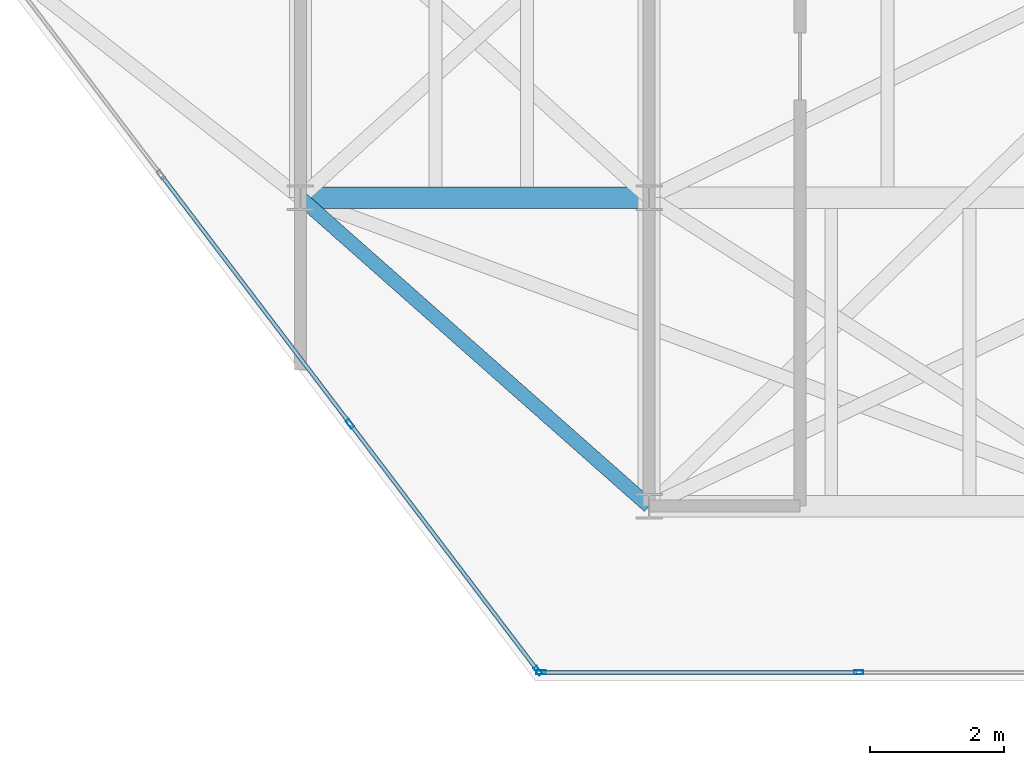
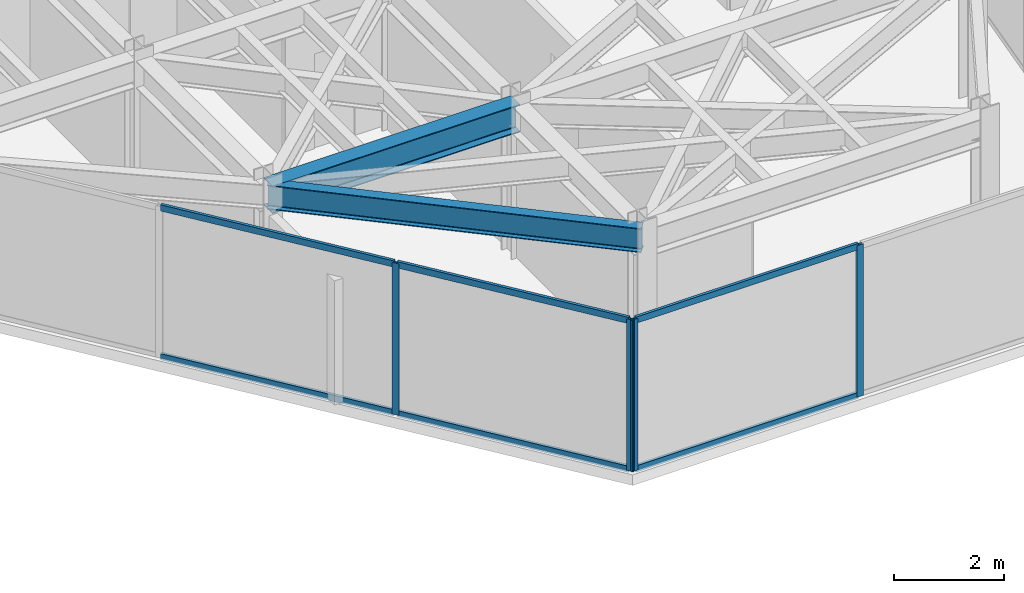
# One storey, part 6 of 16: 10 members, 2 beams, 2 elements without a shape of their own.
"""IFC4 building model written with IfcOpenShell, lengths in metres."""

from ifc_helpers import new_model, si_unit, direction, frame, origin, origin_2d, place, context, subcontext, project, spatial, hollow_rectangle, i_section, extrude, material, layer, layer_set, material_profile, profile_set, type_object, element, aggregate, save


model = new_model("IFC4")

# Units and contexts
model_context = context("Model", 3, precision=1e-05, world=origin(), true_north=direction((0.0, 1.0)))
body_context = subcontext(model_context, "Body", "Model", "MODEL_VIEW")
ifc_project = project(units=[si_unit("LENGTHUNIT", "METRE"), si_unit("AREAUNIT", "SQUARE_METRE"), si_unit("VOLUMEUNIT", "CUBIC_METRE"), si_unit("PLANEANGLEUNIT", "RADIAN"), si_unit("MASSUNIT", "GRAM", prefix="KILO")], contexts=[model_context])

# Site, building, storey
site_placement = place(None, origin())
site = spatial("IfcSite", under=ifc_project, at=site_placement, CompositionType="ELEMENT")
building_placement = place(site_placement, origin())
building = spatial("IfcBuilding", under=site, at=building_placement, Name="Kravanh Interchange Tower", CompositionType="ELEMENT")
storey_placement = place(building_placement, frame((0.0, 0.0, 296.699951171875)))
storey = spatial("IfcBuildingStorey", under=building, at=storey_placement, Name="L73", CompositionType="ELEMENT", Elevation=296.699951171875)

# Curtain wall, members
ifc_material_1 = material(Name="Anodised Bronze Aluminium", Category="aluminium")
ifc_layer = layer(ifc_material_1, 0.179931640625)
ifc_layer_set = layer_set([ifc_layer], Name="Unitised Curtain Wall System CW-HTL Luxury Hotel")
curtain_wall_type = type_object("IfcCurtainWallType", Name="Unitised Curtain Wall System CW-HTL Luxury Hotel", PredefinedType="NOTDEFINED", material=ifc_layer_set)
curtain_wall_1_placement = place(storey_placement, origin())
curtain_wall_1 = element("IfcCurtainWall", 1, at=curtain_wall_1_placement, inside=storey, type_object=curtain_wall_type, Name="L73 Unitised Curtain Wall CW-L73-03", PredefinedType="NOTDEFINED")
ifc_material_2 = material(Name="Anodised Bronze Aluminium", Category="aluminium")
ifc_material_profile_1 = material_profile(ifc_material_2, hollow_rectangle(XDim=0.06005859375, YDim=0.139892578125, WallThickness=0.00390625, at=origin_2d()), Name="ALU60X140X4")
ifc_profile_set_1 = profile_set([ifc_material_profile_1], Name="Anodised Bronze Aluminium")
member_type_1 = type_object("IfcMemberType", Name="Curtain Wall Mullion ALU60X140X4 Bronze", PredefinedType="MULLION", material=ifc_profile_set_1)
member_1_placement = place(storey_placement, frame((59.12646484375, 19.719970703125, 0.0), z_axis=(0.0, 0.0, 1.0), x_axis=(0.0, -1.0, 0.0)))
member_1 = element("IfcMember", 2, at=member_1_placement, type_object=member_type_1, Name="CW-HTL mullion 2", PredefinedType="MULLION", context=body_context, shape_type="SweptSolid", body=[
    extrude(hollow_rectangle(XDim=0.06005859375, YDim=0.139892578125, WallThickness=0.00390625, at=origin_2d()), origin(), (0.0, 0.0, 1.0), 3.364990234375),
])
member_2_placement = place(storey_placement, frame((54.389404296875, 19.719970703125, 0.0), z_axis=(0.0, 0.0, 1.0), x_axis=(0.0, -1.0, 0.0)))
member_2 = element("IfcMember", 3, at=member_2_placement, type_object=member_type_1, Name="CW-HTL mullion 3", PredefinedType="MULLION", context=body_context, shape_type="SweptSolid", body=[
    extrude(hollow_rectangle(XDim=0.06005859375, YDim=0.139892578125, WallThickness=0.00390625, at=origin_2d()), origin(), (0.0, 0.0, 1.0), 3.364990234375),
])

curtain_wall_2_placement = place(storey_placement, origin())
curtain_wall_2 = element("IfcCurtainWall", 4, at=curtain_wall_2_placement, inside=storey, type_object=curtain_wall_type, Name="L73 Unitised Curtain Wall CW-L73-04", PredefinedType="NOTDEFINED")
member_3_placement = place(storey_placement, frame((54.34130859375, 19.743896484375, 0.0), z_axis=(0.0, 0.0, 1.0), x_axis=(-0.796161642797, -0.605083992962, 0.0)))
member_3 = element("IfcMember", 5, at=member_3_placement, type_object=member_type_1, Name="CW-HTL mullion 1", PredefinedType="MULLION", context=body_context, shape_type="SweptSolid", body=[
    extrude(hollow_rectangle(XDim=0.06005859375, YDim=0.139892578125, WallThickness=0.00390625, at=origin_2d()), origin(), (0.0, 0.0, 1.0), 3.364990234375),
])
member_4_placement = place(storey_placement, frame((51.53955078125, 23.430419921875, 0.0), z_axis=(0.0, 0.0, 1.0), x_axis=(-0.796161642797, -0.605083992962, 0.0)))
member_4 = element("IfcMember", 6, at=member_4_placement, type_object=member_type_1, Name="CW-HTL mullion 2", PredefinedType="MULLION", context=body_context, shape_type="SweptSolid", body=[
    extrude(hollow_rectangle(XDim=0.06005859375, YDim=0.139892578125, WallThickness=0.00390625, at=origin_2d()), origin(), (0.0, 0.0, 1.0), 3.364990234375),
])

# Member
ifc_material_3 = material(Name="Anodised Bronze Aluminium", Category="aluminium")
ifc_material_profile_2 = material_profile(ifc_material_3, hollow_rectangle(XDim=0.06005859375, YDim=0.139892578125, WallThickness=0.00390625, at=origin_2d()), Name="ALU60X140X4")
ifc_profile_set_2 = profile_set([ifc_material_profile_2], Name="Anodised Bronze Aluminium")
member_type_2 = type_object("IfcMemberType", Name="Curtain Wall Transom ALU60X140X4 Bronze", PredefinedType="USERDEFINED", material=ifc_profile_set_2)
member_5_placement = place(storey_placement, frame((59.096435546875, 19.719970703125, 0.030029296875), z_axis=(-1.0, 0.0, 0.0), x_axis=(0.0, -1.0, 0.0)))
member_5 = element("IfcMember", 7, at=member_5_placement, type_object=member_type_2, Name="CW-HTL transom 2.1", ObjectType="TRANSOM", PredefinedType="USERDEFINED", context=body_context, shape_type="SweptSolid", body=[
    extrude(hollow_rectangle(XDim=0.06005859375, YDim=0.139892578125, WallThickness=0.00390625, at=origin_2d()), origin(), (0.0, 0.0, 1.0), 4.677001953125),
])

member_6_placement = place(storey_placement, frame((59.096435546875, 19.719970703125, 3.3349609375), z_axis=(-1.0, 0.0, 0.0), x_axis=(0.0, -1.0, 0.0)))
member_6 = element("IfcMember", 8, at=member_6_placement, type_object=member_type_2, Name="CW-HTL transom 2.2", ObjectType="TRANSOM", PredefinedType="USERDEFINED", context=body_context, shape_type="SweptSolid", body=[
    extrude(hollow_rectangle(XDim=0.06005859375, YDim=0.139892578125, WallThickness=0.00390625, at=origin_2d()), origin(), (0.0, 0.0, 1.0), 4.677001953125),
])

aggregate(curtain_wall_1, [member_1, member_2, member_5, member_6])

member_7_placement = place(storey_placement, frame((54.3232421875, 19.767822265625, 0.030029296875), z_axis=(-0.605081913085, 0.796163223502, 0.0), x_axis=(-0.796163223502, -0.605081913085, 0.0)))
member_7 = element("IfcMember", 9, at=member_7_placement, type_object=member_type_2, Name="CW-HTL transom 1.1", ObjectType="TRANSOM", PredefinedType="USERDEFINED", context=body_context, shape_type="SweptSolid", body=[
    extrude(hollow_rectangle(XDim=0.06005859375, YDim=0.139892578125, WallThickness=0.00390625, at=origin_2d()), origin(), (0.0, 0.0, 1.0), 4.5703125),
])

member_8_placement = place(storey_placement, frame((54.3232421875, 19.767822265625, 3.3349609375), z_axis=(-0.605081913085, 0.796163223502, 0.0), x_axis=(-0.796163223502, -0.605081913085, 0.0)))
member_8 = element("IfcMember", 10, at=member_8_placement, type_object=member_type_2, Name="CW-HTL transom 1.2", ObjectType="TRANSOM", PredefinedType="USERDEFINED", context=body_context, shape_type="SweptSolid", body=[
    extrude(hollow_rectangle(XDim=0.06005859375, YDim=0.139892578125, WallThickness=0.00390625, at=origin_2d()), origin(), (0.0, 0.0, 1.0), 4.5703125),
])

member_9_placement = place(storey_placement, frame((51.521484375, 23.4541015625, 0.030029296875), z_axis=(-0.605065774315, 0.796175488666, 0.0), x_axis=(-0.796175488666, -0.605065774315, 0.0)))
member_9 = element("IfcMember", 11, at=member_9_placement, type_object=member_type_2, Name="CW-HTL transom 2.1", ObjectType="TRANSOM", PredefinedType="USERDEFINED", context=body_context, shape_type="SweptSolid", body=[
    extrude(hollow_rectangle(XDim=0.06005859375, YDim=0.139892578125, WallThickness=0.00390625, at=origin_2d()), origin(), (0.0, 0.0, 1.0), 4.600341796875),
])

member_10_placement = place(storey_placement, frame((51.521484375, 23.4541015625, 3.3349609375), z_axis=(-0.605065774315, 0.796175488666, 0.0), x_axis=(-0.796175488666, -0.605065774315, 0.0)))
member_10 = element("IfcMember", 12, at=member_10_placement, type_object=member_type_2, Name="CW-HTL transom 2.2", ObjectType="TRANSOM", PredefinedType="USERDEFINED", context=body_context, shape_type="SweptSolid", body=[
    extrude(hollow_rectangle(XDim=0.06005859375, YDim=0.139892578125, WallThickness=0.00390625, at=origin_2d()), origin(), (0.0, 0.0, 1.0), 4.600341796875),
])

aggregate(curtain_wall_2, [member_3, member_4, member_7, member_8, member_9, member_10])

# Beams
ifc_material_4 = material(Name="Structural Steel S355", Category="steel")
ifc_material_profile_3 = material_profile(ifc_material_4, i_section(OverallWidth=0.323974609375, OverallDepth=0.611083984375, WebThickness=0.0126953125, FlangeThickness=0.01904296875, FilletRadius=0.02197265625, at=origin_2d()), Name="W24X104")
ifc_profile_set_3 = profile_set([ifc_material_profile_3], Name="Structural Steel S355")
beam_type_1 = type_object("IfcBeamType", Name="Floor Beam W24X104 Structural Steel S355", PredefinedType="BEAM", material=ifc_profile_set_3)
beam_1_placement = place(storey_placement, frame((50.800048828125, 26.800048828125, 3.0595703125), z_axis=(1.0, 0.0, 0.0), x_axis=(0.0, 1.0, 0.0)))
element("IfcBeam", 13, at=beam_1_placement, inside=storey, type_object=beam_type_1, Name="L73 Primary Floor Girder 19", PredefinedType="BEAM", context=body_context, shape_type="SweptSolid", body=[
    extrude(i_section(OverallWidth=0.323974609375, OverallDepth=0.611083984375, WebThickness=0.0126953125, FlangeThickness=0.01904296875, FilletRadius=0.02197265625, at=origin_2d()), origin(), (0.0, 0.0, 1.0), 5.199951171875),
])
ifc_material_5 = material(Name="Structural Steel S355", Category="steel")
ifc_material_profile_4 = material_profile(ifc_material_5, i_section(OverallWidth=0.2099609375, OverallDepth=0.537109375, WebThickness=0.010986328125, FlangeThickness=0.017333984375, FilletRadius=0.02001953125, at=origin_2d()), Name="W21X68")
ifc_profile_set_4 = profile_set([ifc_material_profile_4], Name="Structural Steel S355")
beam_type_2 = type_object("IfcBeamType", Name="Floor Spandrel W21X68 Structural Steel S355", PredefinedType="SPANDREL", material=ifc_profile_set_4)
beam_2_placement = place(storey_placement, frame((50.800048828125, 26.800048828125, 3.096435546875), z_axis=(0.74898649432, -0.662585263439, 0.0), x_axis=(0.662585263439, 0.74898649432, 0.0)))
element("IfcBeam", 14, at=beam_2_placement, inside=storey, type_object=beam_type_2, Name="L73 Perimeter Spandrel 20", PredefinedType="SPANDREL", context=body_context, shape_type="SweptSolid", body=[
    extrude(i_section(OverallWidth=0.2099609375, OverallDepth=0.537109375, WebThickness=0.010986328125, FlangeThickness=0.017333984375, FilletRadius=0.02001953125, at=origin_2d()), origin(), (0.0, 0.0, 1.0), 6.942626953125),
])

save(model, "model.ifc")
